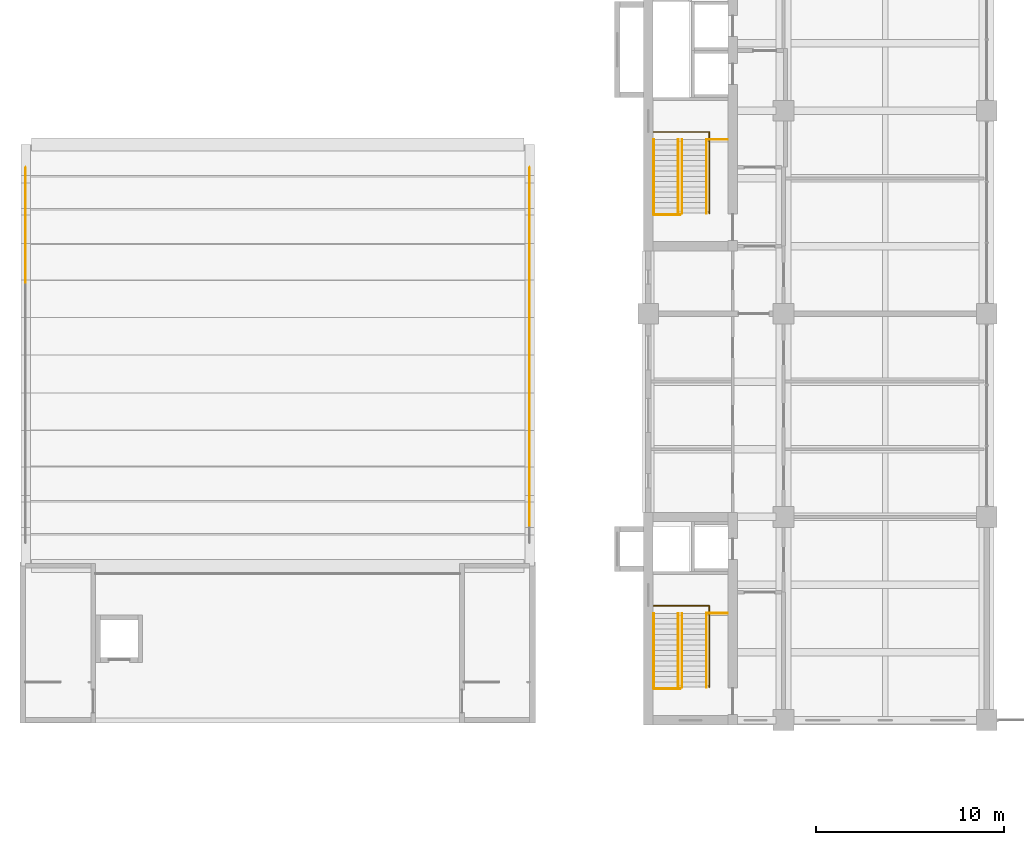
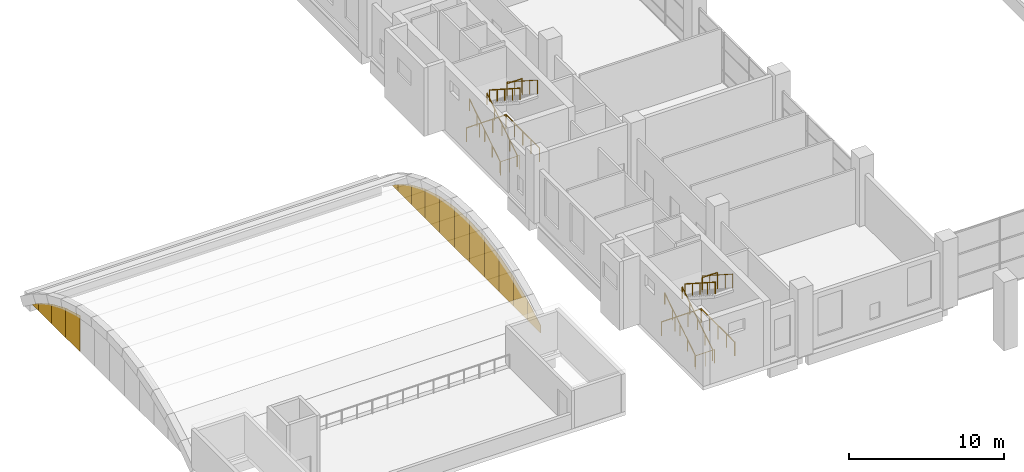
# One storey, part 29 of 32: 15 coverings, 14 railings.
"""IFC4 building model written with IfcOpenShell, lengths in metres."""

from ifc_helpers import new_model, si_unit, direction, frame, origin, origin_2d, place, context, subcontext, project, spatial, polyline, circle, outline, extrude, material, layer, layer_set, type_object, element, save


model = new_model("IFC4")

# Units and contexts
model_context = context("Model", 3, precision=1e-05, world=origin(), true_north=direction((0.0, 1.0)))
body_context = subcontext(model_context, "Body", "Model", "MODEL_VIEW")
ifc_project = project(units=[si_unit("LENGTHUNIT", "METRE"), si_unit("AREAUNIT", "SQUARE_METRE"), si_unit("VOLUMEUNIT", "CUBIC_METRE"), si_unit("PLANEANGLEUNIT", "RADIAN"), si_unit("MASSUNIT", "GRAM", prefix="KILO")], contexts=[model_context])

# Site, building, storey
site_placement = place(None, origin())
site = spatial("IfcSite", under=ifc_project, at=site_placement, CompositionType="ELEMENT")
building_placement = place(site_placement, origin())
building = spatial("IfcBuilding", under=site, at=building_placement, Name="Basin Gate Institute", CompositionType="ELEMENT")
storey_placement = place(building_placement, frame((0.0, 0.0, 11.39990234375)))
storey = spatial("IfcBuildingStorey", under=building, at=storey_placement, Name="L02", CompositionType="ELEMENT", Elevation=11.39990234375)

# Railings
ifc_material_1 = material(Name="Stainless steel", Category="steel")
railing_type_1 = type_object("IfcRailingType", Name="Stair guard GR1", PredefinedType="GUARDRAIL", material=ifc_material_1)
railing_1_placement = place(storey_placement, frame((64.449951171875, 36.85009765625, 0.0)))
element("IfcRailing", 1, at=railing_1_placement, inside=storey, type_object=railing_type_1, material=ifc_material_1, Name="Stair guard GR1 WS GD3-L01", PredefinedType="GUARDRAIL", context=body_context, shape_type="SweptSolid", body=[
    extrude(circle(Radius=0.02392578125, at=origin_2d()), frame((0.0, 0.0, 1.076171875), z_axis=(0.0, 1.0, 0.0), x_axis=(-1.0, 0.0, 0.0)), (0.0, 0.0, 1.0), 4.31982421875),
    extrude(circle(Radius=0.02392578125, at=origin_2d()), frame((0.0, 4.31982421875, 1.076171875), z_axis=(-1.0, 0.0, 0.0), x_axis=(0.0, -1.0, 0.0)), (0.0, 0.0, 1.0), 2.949951171875),
    extrude(circle(Radius=0.02099609375, at=origin_2d()), origin(), (0.0, 0.0, 1.0), 1.052001953125),
    extrude(circle(Radius=0.02099609375, at=origin_2d()), frame((0.0, 1.080078125, 0.0)), (0.0, 0.0, 1.0), 1.052001953125),
    extrude(circle(Radius=0.02099609375, at=origin_2d()), frame((0.0, 2.159912109375, 0.0)), (0.0, 0.0, 1.0), 1.052001953125),
    extrude(circle(Radius=0.02099609375, at=origin_2d()), frame((0.0, 3.23974609375, 0.0)), (0.0, 0.0, 1.0), 1.052001953125),
    extrude(circle(Radius=0.02099609375, at=origin_2d()), frame((0.0, 4.31982421875, 0.0)), (0.0, 0.0, 1.0), 1.052001953125),
    extrude(circle(Radius=0.02099609375, at=origin_2d()), frame((-0.9833984375, 4.31982421875, 0.0)), (0.0, 0.0, 1.0), 1.052001953125),
    extrude(circle(Radius=0.02099609375, at=origin_2d()), frame((-1.966552734375, 4.31982421875, 0.0)), (0.0, 0.0, 1.0), 1.052001953125),
    extrude(circle(Radius=0.02099609375, at=origin_2d()), frame((-2.949951171875, 4.31982421875, 0.0)), (0.0, 0.0, 1.0), 1.052001953125),
])
railing_2_placement = place(storey_placement, frame((61.5, 36.77001953125, 0.0)))
element("IfcRailing", 2, at=railing_2_placement, inside=storey, type_object=railing_type_1, material=ifc_material_1, Name="Stair guard GR1 WS GD4-L01", PredefinedType="GUARDRAIL", context=body_context, shape_type="SweptSolid", body=[
    extrude(circle(Radius=0.02392578125, at=origin_2d()), frame((0.0, 0.0, 1.076171875), z_axis=(1.0, 0.0, 0.0), x_axis=(0.0, 1.0, 0.0)), (0.0, 0.0, 1.0), 1.39990234375),
    extrude(circle(Radius=0.02099609375, at=origin_2d()), origin(), (0.0, 0.0, 1.0), 1.052001953125),
    extrude(circle(Radius=0.02099609375, at=origin_2d()), frame((0.699951171875, 0.0, 0.0)), (0.0, 0.0, 1.0), 1.052001953125),
    extrude(circle(Radius=0.02099609375, at=origin_2d()), frame((1.39990234375, 0.0, 0.0)), (0.0, 0.0, 1.0), 1.052001953125),
])
railing_3_placement = place(storey_placement, frame((64.449951171875, 62.050048828125, 0.0)))
element("IfcRailing", 3, at=railing_3_placement, inside=storey, type_object=railing_type_1, material=ifc_material_1, Name="Stair guard GR1 WM GD3-L01", PredefinedType="GUARDRAIL", context=body_context, shape_type="SweptSolid", body=[
    extrude(circle(Radius=0.02392578125, at=origin_2d()), frame((0.0, 0.0, 1.076171875), z_axis=(0.0, 1.0, 0.0), x_axis=(-1.0, 0.0, 0.0)), (0.0, 0.0, 1.0), 4.320068359375),
    extrude(circle(Radius=0.02392578125, at=origin_2d()), frame((0.0, 4.320068359375, 1.076171875), z_axis=(-1.0, 0.0, 0.0), x_axis=(0.0, -1.0, 0.0)), (0.0, 0.0, 1.0), 2.949951171875),
    extrude(circle(Radius=0.02099609375, at=origin_2d()), origin(), (0.0, 0.0, 1.0), 1.052001953125),
    extrude(circle(Radius=0.02099609375, at=origin_2d()), frame((0.0, 1.080078125, 0.0)), (0.0, 0.0, 1.0), 1.052001953125),
    extrude(circle(Radius=0.02099609375, at=origin_2d()), frame((0.0, 2.16015625, 0.0)), (0.0, 0.0, 1.0), 1.052001953125),
    extrude(circle(Radius=0.02099609375, at=origin_2d()), frame((0.0, 3.239990234375, 0.0)), (0.0, 0.0, 1.0), 1.052001953125),
    extrude(circle(Radius=0.02099609375, at=origin_2d()), frame((0.0, 4.320068359375, 0.0)), (0.0, 0.0, 1.0), 1.052001953125),
    extrude(circle(Radius=0.02099609375, at=origin_2d()), frame((-0.9833984375, 4.320068359375, 0.0)), (0.0, 0.0, 1.0), 1.052001953125),
    extrude(circle(Radius=0.02099609375, at=origin_2d()), frame((-1.966552734375, 4.320068359375, 0.0)), (0.0, 0.0, 1.0), 1.052001953125),
    extrude(circle(Radius=0.02099609375, at=origin_2d()), frame((-2.949951171875, 4.320068359375, 0.0)), (0.0, 0.0, 1.0), 1.052001953125),
])
railing_4_placement = place(storey_placement, frame((61.5, 61.969970703125, 0.0)))
element("IfcRailing", 4, at=railing_4_placement, inside=storey, type_object=railing_type_1, material=ifc_material_1, Name="Stair guard GR1 WM GD4-L01", PredefinedType="GUARDRAIL", context=body_context, shape_type="SweptSolid", body=[
    extrude(circle(Radius=0.02392578125, at=origin_2d()), frame((0.0, 0.0, 1.076171875), z_axis=(1.0, 0.0, 0.0), x_axis=(0.0, 1.0, 0.0)), (0.0, 0.0, 1.0), 1.39990234375),
    extrude(circle(Radius=0.02099609375, at=origin_2d()), origin(), (0.0, 0.0, 1.0), 1.052001953125),
    extrude(circle(Radius=0.02099609375, at=origin_2d()), frame((0.699951171875, 0.0, 0.0)), (0.0, 0.0, 1.0), 1.052001953125),
    extrude(circle(Radius=0.02099609375, at=origin_2d()), frame((1.39990234375, 0.0, 0.0)), (0.0, 0.0, 1.0), 1.052001953125),
])
for number, where, name in (
    (5, (64.300048828125, 40.77001953125, 2.880126953125), "Stair guard GR1 WS GD1"),
    (6, (64.300048828125, 65.969970703125, 2.880126953125), "Stair guard GR1 WM GD1"),
):
    element("IfcRailing", number, at=place(storey_placement, frame(where)), inside=storey, type_object=railing_type_1, material=ifc_material_1, Name=name, PredefinedType="GUARDRAIL", context=body_context, shape_type="SweptSolid", body=[
        extrude(circle(Radius=0.02392578125, at=origin_2d()), frame((0.0, 0.0, 1.076171875), z_axis=(0.0, -0.841171666519, 0.540768182723), x_axis=(1.0, 0.0, 0.0)), (0.0, 0.0, 1.0), 4.66015625),
        extrude(circle(Radius=0.02099609375, at=origin_2d()), origin(), (0.0, 0.0, 1.0), 1.052001953125),
        extrude(circle(Radius=0.02099609375, at=origin_2d()), frame((0.0, -0.97998046875, 0.6298828125)), (0.0, 0.0, 1.0), 1.052001953125),
        extrude(circle(Radius=0.02099609375, at=origin_2d()), frame((0.0, -1.9599609375, 1.260009765625)), (0.0, 0.0, 1.0), 1.052001953125),
        extrude(circle(Radius=0.02099609375, at=origin_2d()), frame((0.0, -2.93994140625, 1.89013671875)), (0.0, 0.0, 1.0), 1.052001953125),
        extrude(circle(Radius=0.02099609375, at=origin_2d()), frame((0.0, -3.919921875, 2.52001953125)), (0.0, 0.0, 1.0), 1.052001953125),
    ])
ifc_material_2 = material(Name="Stainless steel", Category="steel")
railing_type_2 = type_object("IfcRailingType", Name="Stair guard GR3", PredefinedType="GUARDRAIL", material=ifc_material_2)
for number, where, name in (
    (7, (64.300048828125, 40.77001953125, 2.7001953125), "Stair guard GR3 WS GD2"),
    (8, (64.300048828125, 65.969970703125, 2.7001953125), "Stair guard GR3 WM GD2"),
):
    element("IfcRailing", number, at=place(storey_placement, frame(where)), inside=storey, type_object=railing_type_2, material=ifc_material_2, Name=name, PredefinedType="GUARDRAIL", context=body_context, shape_type="SweptSolid", body=[
        extrude(circle(Radius=0.02392578125, at=origin_2d()), frame((0.0, 0.0, 1.1259765625), z_axis=(1.0, 0.0, 0.0), x_axis=(0.0, 1.0, 0.0)), (0.0, 0.0, 1.0), 1.119873046875),
        extrude(circle(Radius=0.02099609375, at=origin_2d()), origin(), (0.0, 0.0, 1.0), 1.101806640625),
        extrude(circle(Radius=0.02099609375, at=origin_2d()), frame((1.119873046875, 0.0, 0.0)), (0.0, 0.0, 1.0), 1.101806640625),
    ])
ifc_material_3 = material(Name="Stainless steel", Category="steel")
railing_type_3 = type_object("IfcRailingType", Name="Stair handrail HR1", PredefinedType="HANDRAIL", material=ifc_material_3)
for number, where, name in (
    (9, (61.5, 36.85009765625, 0.18017578125), "Stair handrail HR1 WS HR1"),
    (10, (62.800048828125, 36.85009765625, 0.18017578125), "Stair handrail HR1 WS HR2"),
):
    element("IfcRailing", number, at=place(storey_placement, frame(where)), inside=storey, type_object=railing_type_3, material=ifc_material_3, Name=name, PredefinedType="HANDRAIL", context=body_context, shape_type="SweptSolid", body=[
        extrude(circle(Radius=0.02392578125, at=origin_2d()), frame((0.0, 0.0, 0.89599609375), z_axis=(0.0, 0.841171666519, 0.540768182723), x_axis=(-1.0, 0.0, 0.0)), (0.0, 0.0, 1.0), 4.66015625),
        extrude(circle(Radius=0.02099609375, at=origin_2d()), origin(), (0.0, 0.0, 1.0), 0.871826171875),
        extrude(circle(Radius=0.02099609375, at=origin_2d()), frame((0.0, 0.97998046875, 0.6298828125)), (0.0, 0.0, 1.0), 0.871826171875),
        extrude(circle(Radius=0.02099609375, at=origin_2d()), frame((0.0, 1.9599609375, 1.260009765625)), (0.0, 0.0, 1.0), 0.871826171875),
        extrude(circle(Radius=0.02099609375, at=origin_2d()), frame((0.0, 2.93994140625, 1.89013671875)), (0.0, 0.0, 1.0), 0.871826171875),
        extrude(circle(Radius=0.02099609375, at=origin_2d()), frame((0.0, 3.919921875, 2.52001953125)), (0.0, 0.0, 1.0), 0.871826171875),
    ])
railing_5_placement = place(storey_placement, frame((63.0, 40.77001953125, 2.880126953125)))
element("IfcRailing", 11, at=railing_5_placement, inside=storey, type_object=railing_type_3, material=ifc_material_3, Name="Stair handrail HR1 WS HR3", PredefinedType="HANDRAIL", context=body_context, shape_type="SweptSolid", body=[
    extrude(circle(Radius=0.02392578125, at=origin_2d()), frame((0.0, 0.0, 0.89599609375), z_axis=(0.0, -0.841171666519, 0.540768182723), x_axis=(1.0, 0.0, 0.0)), (0.0, 0.0, 1.0), 4.66015625),
    extrude(circle(Radius=0.02099609375, at=origin_2d()), origin(), (0.0, 0.0, 1.0), 0.871826171875),
    extrude(circle(Radius=0.02099609375, at=origin_2d()), frame((0.0, -0.97998046875, 0.6298828125)), (0.0, 0.0, 1.0), 0.871826171875),
    extrude(circle(Radius=0.02099609375, at=origin_2d()), frame((0.0, -1.9599609375, 1.260009765625)), (0.0, 0.0, 1.0), 0.871826171875),
    extrude(circle(Radius=0.02099609375, at=origin_2d()), frame((0.0, -2.93994140625, 1.89013671875)), (0.0, 0.0, 1.0), 0.871826171875),
    extrude(circle(Radius=0.02099609375, at=origin_2d()), frame((0.0, -3.919921875, 2.52001953125)), (0.0, 0.0, 1.0), 0.871826171875),
])
for number, where, name in (
    (12, (61.5, 62.050048828125, 0.18017578125), "Stair handrail HR1 WM HR1"),
    (13, (62.800048828125, 62.050048828125, 0.18017578125), "Stair handrail HR1 WM HR2"),
):
    element("IfcRailing", number, at=place(storey_placement, frame(where)), inside=storey, type_object=railing_type_3, material=ifc_material_3, Name=name, PredefinedType="HANDRAIL", context=body_context, shape_type="SweptSolid", body=[
        extrude(circle(Radius=0.02392578125, at=origin_2d()), frame((0.0, 0.0, 0.89599609375), z_axis=(0.0, 0.841171666519, 0.540768182723), x_axis=(-1.0, 0.0, 0.0)), (0.0, 0.0, 1.0), 4.66015625),
        extrude(circle(Radius=0.02099609375, at=origin_2d()), origin(), (0.0, 0.0, 1.0), 0.871826171875),
        extrude(circle(Radius=0.02099609375, at=origin_2d()), frame((0.0, 0.97998046875, 0.6298828125)), (0.0, 0.0, 1.0), 0.871826171875),
        extrude(circle(Radius=0.02099609375, at=origin_2d()), frame((0.0, 1.9599609375, 1.260009765625)), (0.0, 0.0, 1.0), 0.871826171875),
        extrude(circle(Radius=0.02099609375, at=origin_2d()), frame((0.0, 2.93994140625, 1.89013671875)), (0.0, 0.0, 1.0), 0.871826171875),
        extrude(circle(Radius=0.02099609375, at=origin_2d()), frame((0.0, 3.919921875, 2.52001953125)), (0.0, 0.0, 1.0), 0.871826171875),
    ])
railing_6_placement = place(storey_placement, frame((63.0, 65.969970703125, 2.880126953125)))
element("IfcRailing", 14, at=railing_6_placement, inside=storey, type_object=railing_type_3, material=ifc_material_3, Name="Stair handrail HR1 WM HR3", PredefinedType="HANDRAIL", context=body_context, shape_type="SweptSolid", body=[
    extrude(circle(Radius=0.02392578125, at=origin_2d()), frame((0.0, 0.0, 0.89599609375), z_axis=(0.0, -0.841171666519, 0.540768182723), x_axis=(1.0, 0.0, 0.0)), (0.0, 0.0, 1.0), 4.66015625),
    extrude(circle(Radius=0.02099609375, at=origin_2d()), origin(), (0.0, 0.0, 1.0), 0.871826171875),
    extrude(circle(Radius=0.02099609375, at=origin_2d()), frame((0.0, -0.97998046875, 0.6298828125)), (0.0, 0.0, 1.0), 0.871826171875),
    extrude(circle(Radius=0.02099609375, at=origin_2d()), frame((0.0, -1.9599609375, 1.260009765625)), (0.0, 0.0, 1.0), 0.871826171875),
    extrude(circle(Radius=0.02099609375, at=origin_2d()), frame((0.0, -2.93994140625, 1.89013671875)), (0.0, 0.0, 1.0), 0.871826171875),
    extrude(circle(Radius=0.02099609375, at=origin_2d()), frame((0.0, -3.919921875, 2.52001953125)), (0.0, 0.0, 1.0), 0.871826171875),
])

# Coverings
ifc_material_4 = material(Name="Laminated toughened glass", Category="glass")
ifc_layer = layer(ifc_material_4, 0.030029296875)
ifc_layer_set = layer_set([ifc_layer], Name="Theatre tympanum glazing PN89")
covering_type = type_object("IfcCoveringType", Name="Theatre tympanum glazing PN89", PredefinedType="ROOFING", material=ifc_layer_set)
covering_1_placement = place(storey_placement, frame((28.10009765625, 58.348876953125, 0.0), z_axis=(1.0, 0.0, 0.0), x_axis=(0.0, 1.0, 0.0)))
element("IfcCovering", 15, at=covering_1_placement, inside=storey, type_object=covering_type, material=ifc_layer_set, Name="Theatre tympanum glazing S 9", PredefinedType="ROOFING", context=body_context, shape_type="SweptSolid", body=[
    extrude(outline(polyline([(0.0, 0.0), (1.861328125, 0.0), (1.861328125, 2.309814453125), (0.0, 2.857177734375), (0.0, 0.0)])), origin(), (0.0, 0.0, -1.0), 0.030029296875),
])
covering_2_placement = place(storey_placement, frame((28.10009765625, 60.210205078125, 0.0), z_axis=(1.0, 0.0, 0.0), x_axis=(0.0, 1.0, 0.0)))
element("IfcCovering", 16, at=covering_2_placement, inside=storey, type_object=covering_type, material=ifc_layer_set, Name="Theatre tympanum glazing S 10", PredefinedType="ROOFING", context=body_context, shape_type="SweptSolid", body=[
    extrude(outline(polyline([(0.0, 0.0), (1.787353515625, 0.0), (1.787353515625, 1.553955078125), (0.0, 2.309814453125), (0.0, 0.0)])), origin(), (0.0, 0.0, -1.0), 0.030029296875),
])
covering_3_placement = place(storey_placement, frame((28.10009765625, 61.99755859375, 0.0), z_axis=(1.0, 0.0, 0.0), x_axis=(0.0, 1.0, 0.0)))
element("IfcCovering", 17, at=covering_3_placement, inside=storey, type_object=covering_type, material=ifc_layer_set, Name="Theatre tympanum glazing S 11", PredefinedType="ROOFING", context=body_context, shape_type="SweptSolid", body=[
    extrude(outline(polyline([(0.0, 0.0), (1.68896484375, 0.0), (1.68896484375, 0.599365234375), (0.0, 1.553955078125), (0.0, 0.0)])), origin(), (0.0, 0.0, -1.0), 0.030029296875),
])
covering_4_placement = place(storey_placement, frame((28.10009765625, 63.6865234375, 0.0), z_axis=(1.0, 0.0, 0.0), x_axis=(0.0, 1.0, 0.0)))
element("IfcCovering", 18, at=covering_4_placement, inside=storey, type_object=covering_type, material=ifc_layer_set, Name="Theatre tympanum glazing S 12", PredefinedType="ROOFING", context=body_context, shape_type="SweptSolid", body=[
    extrude(outline(polyline([(0.0, 0.0), (0.82373046875, 0.0), (0.0, 0.599365234375), (0.0, 0.0)])), origin(), (0.0, 0.0, -1.0), 0.030029296875),
])
covering_5_placement = place(storey_placement, frame((54.89990234375, 45.3134765625, 0.0), z_axis=(1.0, 0.0, 0.0), x_axis=(0.0, 1.0, 0.0)))
element("IfcCovering", 19, at=covering_5_placement, inside=storey, type_object=covering_type, material=ifc_layer_set, Name="Theatre tympanum glazing N 2", PredefinedType="ROOFING", context=body_context, shape_type="SweptSolid", body=[
    extrude(outline(polyline([(0.0, 0.0), (1.68896484375, 0.0), (1.68896484375, 1.553955078125), (0.0, 0.599365234375), (0.0, 0.0)])), origin(), (0.0, 0.0, -1.0), 0.030029296875),
])
covering_6_placement = place(storey_placement, frame((54.89990234375, 47.00244140625, 0.0), z_axis=(1.0, 0.0, 0.0), x_axis=(0.0, 1.0, 0.0)))
element("IfcCovering", 20, at=covering_6_placement, inside=storey, type_object=covering_type, material=ifc_layer_set, Name="Theatre tympanum glazing N 3", PredefinedType="ROOFING", context=body_context, shape_type="SweptSolid", body=[
    extrude(outline(polyline([(0.0, 0.0), (1.787353515625, 0.0), (1.787353515625, 2.309814453125), (0.0, 1.553955078125), (0.0, 0.0)])), origin(), (0.0, 0.0, -1.0), 0.030029296875),
])
covering_7_placement = place(storey_placement, frame((54.89990234375, 48.789794921875, 0.0), z_axis=(1.0, 0.0, 0.0), x_axis=(0.0, 1.0, 0.0)))
element("IfcCovering", 21, at=covering_7_placement, inside=storey, type_object=covering_type, material=ifc_layer_set, Name="Theatre tympanum glazing N 4", PredefinedType="ROOFING", context=body_context, shape_type="SweptSolid", body=[
    extrude(outline(polyline([(0.0, 0.0), (1.861328125, 0.0), (1.861328125, 2.857177734375), (0.0, 2.309814453125), (0.0, 0.0)])), origin(), (0.0, 0.0, -1.0), 0.030029296875),
])
covering_8_placement = place(storey_placement, frame((54.89990234375, 50.651123046875, 0.0), z_axis=(1.0, 0.0, 0.0), x_axis=(0.0, 1.0, 0.0)))
element("IfcCovering", 22, at=covering_8_placement, inside=storey, type_object=covering_type, material=ifc_layer_set, Name="Theatre tympanum glazing N 5", PredefinedType="ROOFING", context=body_context, shape_type="SweptSolid", body=[
    extrude(outline(polyline([(0.0, 0.0), (1.911865234375, 0.0), (1.911865234375, 3.1884765625), (0.0, 2.857177734375), (0.0, 0.0)])), origin(), (0.0, 0.0, -1.0), 0.030029296875),
])
covering_9_placement = place(storey_placement, frame((54.89990234375, 52.56298828125, 0.0), z_axis=(1.0, 0.0, 0.0), x_axis=(0.0, 1.0, 0.0)))
element("IfcCovering", 23, at=covering_9_placement, inside=storey, type_object=covering_type, material=ifc_layer_set, Name="Theatre tympanum glazing N 6", PredefinedType="ROOFING", context=body_context, shape_type="SweptSolid", body=[
    extrude(outline(polyline([(0.0, 0.0), (1.93701171875, 0.0), (1.93701171875, 3.299072265625), (0.0, 3.1884765625), (0.0, 0.0)])), origin(), (0.0, 0.0, -1.0), 0.030029296875),
])
covering_10_placement = place(storey_placement, frame((54.89990234375, 54.5, 0.0), z_axis=(1.0, 0.0, 0.0), x_axis=(0.0, 1.0, 0.0)))
element("IfcCovering", 24, at=covering_10_placement, inside=storey, type_object=covering_type, material=ifc_layer_set, Name="Theatre tympanum glazing N 7", PredefinedType="ROOFING", context=body_context, shape_type="SweptSolid", body=[
    extrude(outline(polyline([(0.0, 0.0), (1.93701171875, 0.0), (1.93701171875, 3.1884765625), (0.0, 3.299072265625), (0.0, 0.0)])), origin(), (0.0, 0.0, -1.0), 0.030029296875),
])
covering_11_placement = place(storey_placement, frame((54.89990234375, 56.43701171875, 0.0), z_axis=(1.0, 0.0, 0.0), x_axis=(0.0, 1.0, 0.0)))
element("IfcCovering", 25, at=covering_11_placement, inside=storey, type_object=covering_type, material=ifc_layer_set, Name="Theatre tympanum glazing N 8", PredefinedType="ROOFING", context=body_context, shape_type="SweptSolid", body=[
    extrude(outline(polyline([(0.0, 0.0), (1.911865234375, 0.0), (1.911865234375, 2.857177734375), (0.0, 3.1884765625), (0.0, 0.0)])), origin(), (0.0, 0.0, -1.0), 0.030029296875),
])
covering_12_placement = place(storey_placement, frame((54.89990234375, 58.348876953125, 0.0), z_axis=(1.0, 0.0, 0.0), x_axis=(0.0, 1.0, 0.0)))
element("IfcCovering", 26, at=covering_12_placement, inside=storey, type_object=covering_type, material=ifc_layer_set, Name="Theatre tympanum glazing N 9", PredefinedType="ROOFING", context=body_context, shape_type="SweptSolid", body=[
    extrude(outline(polyline([(0.0, 0.0), (1.861328125, 0.0), (1.861328125, 2.309814453125), (0.0, 2.857177734375), (0.0, 0.0)])), origin(), (0.0, 0.0, -1.0), 0.030029296875),
])
covering_13_placement = place(storey_placement, frame((54.89990234375, 60.210205078125, 0.0), z_axis=(1.0, 0.0, 0.0), x_axis=(0.0, 1.0, 0.0)))
element("IfcCovering", 27, at=covering_13_placement, inside=storey, type_object=covering_type, material=ifc_layer_set, Name="Theatre tympanum glazing N 10", PredefinedType="ROOFING", context=body_context, shape_type="SweptSolid", body=[
    extrude(outline(polyline([(0.0, 0.0), (1.787353515625, 0.0), (1.787353515625, 1.553955078125), (0.0, 2.309814453125), (0.0, 0.0)])), origin(), (0.0, 0.0, -1.0), 0.030029296875),
])
covering_14_placement = place(storey_placement, frame((54.89990234375, 61.99755859375, 0.0), z_axis=(1.0, 0.0, 0.0), x_axis=(0.0, 1.0, 0.0)))
element("IfcCovering", 28, at=covering_14_placement, inside=storey, type_object=covering_type, material=ifc_layer_set, Name="Theatre tympanum glazing N 11", PredefinedType="ROOFING", context=body_context, shape_type="SweptSolid", body=[
    extrude(outline(polyline([(0.0, 0.0), (1.68896484375, 0.0), (1.68896484375, 0.599365234375), (0.0, 1.553955078125), (0.0, 0.0)])), origin(), (0.0, 0.0, -1.0), 0.030029296875),
])
covering_15_placement = place(storey_placement, frame((54.89990234375, 63.6865234375, 0.0), z_axis=(1.0, 0.0, 0.0), x_axis=(0.0, 1.0, 0.0)))
element("IfcCovering", 29, at=covering_15_placement, inside=storey, type_object=covering_type, material=ifc_layer_set, Name="Theatre tympanum glazing N 12", PredefinedType="ROOFING", context=body_context, shape_type="SweptSolid", body=[
    extrude(outline(polyline([(0.0, 0.0), (0.82373046875, 0.0), (0.0, 0.599365234375), (0.0, 0.0)])), origin(), (0.0, 0.0, -1.0), 0.030029296875),
])

save(model, "model.ifc")
